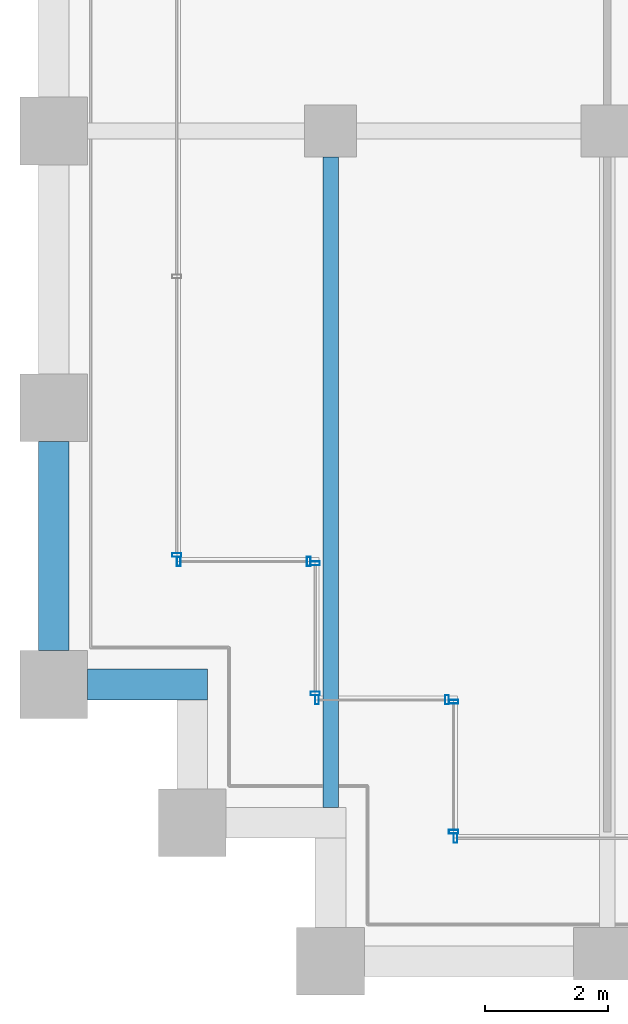
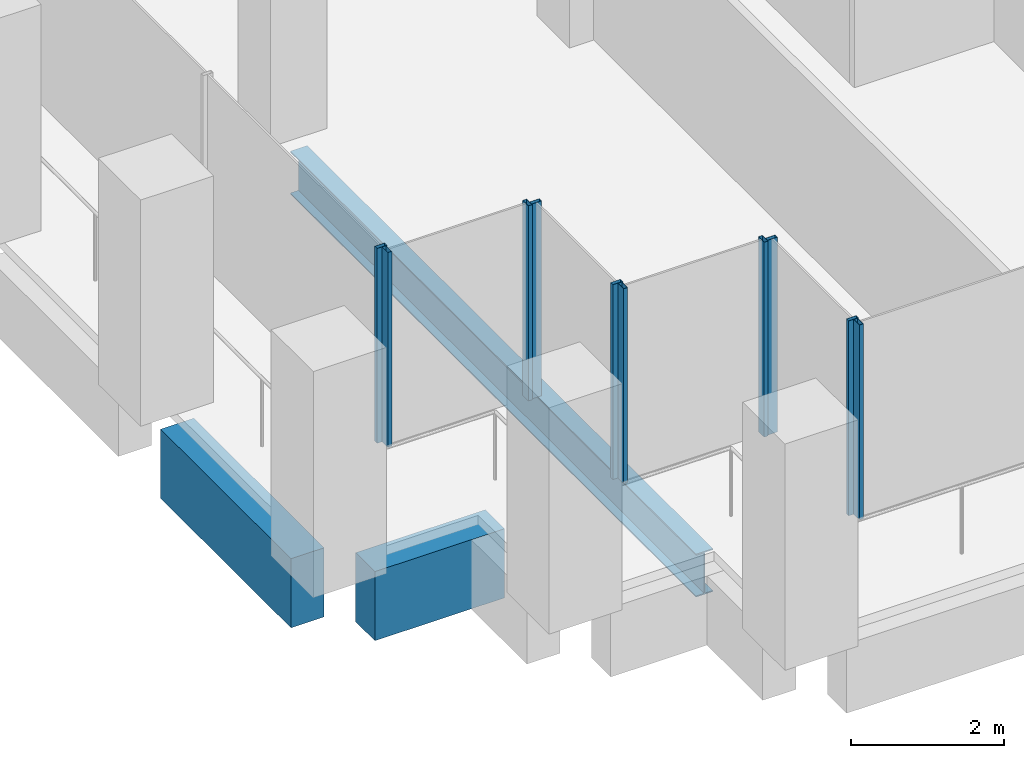
# One storey, part 2 of 54: 10 members, 3 beams, 6 elements without a shape of their own.
"""IFC4 building model written with IfcOpenShell, lengths in metres."""

import ifcopenshell
import ifcopenshell.guid

model = None  # the IFC model being written
_history = None  # IfcOwnerHistory: only IFC2X3 demands one
_inside = {}  # id of a spatial element -> (the spatial element, [elements in it])
_under = {}  # id of a project, library or spatial element -> (it, [spatial elements below it])
_declared = {}  # id of a project -> (the project, [libraries it declares])
_typed = {}  # id of a type object -> (the type object, [elements of that type])
_made_of = {}  # id of a material, layer set ... -> (it, [elements and type objects made of it])


def new_model(schema):
    """Start an empty IFC model of exactly this schema.

    Asked for "IFC4X3", IfcOpenShell would pick the latest addendum, in which some entities
    have other attributes; the version numbers below select the first issue.
    IFC2X3 requires an IfcOwnerHistory on every rooted entity: one is made here for all.
    """
    global model, _history
    if schema == "IFC4X3":
        model = ifcopenshell.file(schema_version=(4, 3, 0, 0))
    else:
        model = ifcopenshell.file(schema=schema)
    _inside.clear()
    _under.clear()
    _declared.clear()
    _typed.clear()
    _made_of.clear()
    _history = None
    if model.schema == "IFC2X3":
        org = make("IfcOrganization", Name="unknown")
        user = make(
            "IfcPersonAndOrganization",
            ThePerson=make("IfcPerson", FamilyName="unknown"),
            TheOrganization=org,
        )
        app = make(
            "IfcApplication",
            ApplicationDeveloper=org,
            Version="unknown",
            ApplicationFullName="unknown",
            ApplicationIdentifier="unknown",
        )
        _history = make(
            "IfcOwnerHistory",
            OwningUser=user,
            OwningApplication=app,
            ChangeAction="ADDED",
            CreationDate=0,
        )
    return model


def make(cls, **values):
    """One entity of the class cls with the attributes given. An attribute that is None is left unset."""
    return model.create_entity(
        cls, **{name: value for name, value in values.items() if value is not None}
    )


def rooted(cls, **values):
    """An entity with a GlobalId (a new one), such as an element, a storey or a relation."""
    return make(cls, GlobalId=ifcopenshell.guid.new(), OwnerHistory=_history, **values)


def si_unit(unit_type, name, prefix=None):
    """IfcSIUnit, for example si_unit("LENGTHUNIT", "METRE", prefix="MILLI")."""
    return make("IfcSIUnit", UnitType=unit_type, Prefix=prefix, Name=name)


def assignment(units):
    """IfcUnitAssignment: the units of a project."""
    return None if units is None else make("IfcUnitAssignment", Units=units)


def point(xyz):
    """IfcCartesianPoint."""
    return None if xyz is None else make("IfcCartesianPoint", Coordinates=xyz)


def direction(xyz):
    """IfcDirection."""
    return None if xyz is None else make("IfcDirection", DirectionRatios=xyz)


def frame(location, z_axis=None, x_axis=None):
    """IfcAxis2Placement3D, a coordinate frame: its origin and axes. An axis left out is left unset."""
    return make(
        "IfcAxis2Placement3D",
        Location=point(location),
        Axis=direction(z_axis),
        RefDirection=direction(x_axis),
    )


def frame_2d(location, x_axis=None):
    """IfcAxis2Placement2D, a coordinate frame in the plane: its origin and x axis."""
    return make(
        "IfcAxis2Placement2D", Location=point(location), RefDirection=direction(x_axis)
    )


def origin():
    """The frame at (0, 0, 0) with its axes left unset."""
    return frame((0.0, 0.0, 0.0))


def origin_2d():
    """The frame at (0, 0) in the plane with its x axis left unset."""
    return frame_2d((0.0, 0.0))


def place(relative_to, where):
    """IfcLocalPlacement: puts the frame where relative to a parent placement (None: the world)."""
    return make(
        "IfcLocalPlacement", PlacementRelTo=relative_to, RelativePlacement=where
    )


def context(
    kind, dimensions, precision=None, world=None, true_north=None, identifier=None
):
    """IfcGeometricRepresentationContext, for example the 3D "Model" context."""
    return make(
        "IfcGeometricRepresentationContext",
        ContextIdentifier=identifier,
        ContextType=kind,
        CoordinateSpaceDimension=dimensions,
        Precision=precision,
        WorldCoordinateSystem=world,
        TrueNorth=true_north,
    )


def subcontext(parent, identifier, kind, view, scale=None):
    """IfcGeometricRepresentationSubContext, for example "Body" below "Model"."""
    return make(
        "IfcGeometricRepresentationSubContext",
        ContextIdentifier=identifier,
        ContextType=kind,
        ParentContext=parent,
        TargetScale=scale,
        TargetView=view,
    )


def project(units=None, contexts=None):
    """IfcProject with its units and contexts."""
    return rooted(
        "IfcProject",
        Name="project",
        RepresentationContexts=contexts,
        UnitsInContext=assignment(units),
    )


def spatial(cls, under=None, at=None, **own):
    """A site, building, storey or space (cls), placed at a placement, below another one or the project."""
    s = rooted(cls, ObjectPlacement=at, **own)
    if under is not None:
        _under.setdefault(under.id(), (under, []))[1].append(s)
    return s


def profile(cls, at=None, kind="AREA", **sizes):
    """A parametric profile (cls). Its sizes go by their IFC names, for example OverallWidth=200.0."""
    return make(cls, ProfileType=kind, Position=at, **sizes)


def rectangle(**sizes):
    """IfcRectangleProfileDef."""
    return profile("IfcRectangleProfileDef", **sizes)


def hollow_rectangle(**sizes):
    """IfcRectangleHollowProfileDef."""
    return profile("IfcRectangleHollowProfileDef", **sizes)


def i_section(**sizes):
    """IfcIShapeProfileDef."""
    return profile("IfcIShapeProfileDef", **sizes)


def extrude(swept, where, along, depth):
    """IfcExtrudedAreaSolid: the profile swept, set in the frame where, extruded along a direction by depth."""
    return make(
        "IfcExtrudedAreaSolid",
        SweptArea=swept,
        Position=where,
        ExtrudedDirection=direction(along),
        Depth=depth,
    )


def shape(context_of_items, identifier, shape_type, items):
    """IfcShapeRepresentation: the items that make up one representation, for example the "Body"."""
    return make(
        "IfcShapeRepresentation",
        ContextOfItems=context_of_items,
        RepresentationIdentifier=identifier,
        RepresentationType=shape_type,
        Items=items,
    )


def material(Name=None, Category=None):
    """IfcMaterial."""
    return make("IfcMaterial", Name=Name, Category=Category)


def material_profile(
    of_material, cross_section, Name=None, Category=None, Priority=None
):
    """IfcMaterialProfile: a cross section and its material."""
    return make(
        "IfcMaterialProfile",
        Name=Name,
        Material=of_material,
        Profile=cross_section,
        Priority=Priority,
        Category=Category,
    )


def profile_set(profiles, Name=None, composite=None):
    """IfcMaterialProfileSet."""
    return make(
        "IfcMaterialProfileSet",
        Name=Name,
        MaterialProfiles=profiles,
        CompositeProfile=composite,
    )


def made_of(thing, what):
    """Note that an element or type object is made of a material, layer set ...; save() writes the relation."""
    if what is not None:
        _made_of.setdefault(what.id(), (what, []))[1].append(thing)
    return thing


def type_object(cls, material=None, **own):
    """A type object (cls), such as IfcWallType, which elements share."""
    return made_of(rooted(cls, **own), material)


def element(
    cls,
    number,
    at=None,
    inside=None,
    cuts=None,
    type_object=None,
    material=None,
    context=None,
    identifier="Body",
    shape_type=None,
    held_by="IfcProductDefinitionShape",
    body=None,
    shapes=None,
    **own,
):
    """One element of the class cls, such as IfcWall. Its Tag is "e" and its number.

    at: its placement. inside: the storey or other place that contains it. cuts: it is an
    opening in that element (IfcRelVoidsElement). A single representation is given by context,
    identifier, shape_type and body (its items); several are given by shapes. held_by: the class
    of the entity that holds the representations. save() writes the other relations.
    """
    e = rooted(cls, Tag="e%d" % number, ObjectPlacement=at, **own)
    if body is not None:
        shapes = [shape(context, identifier, shape_type, body)]
    if shapes is not None:
        e.Representation = make(held_by, Representations=shapes)
    if inside is not None:
        _inside.setdefault(inside.id(), (inside, []))[1].append(e)
    if cuts is not None:
        rooted(
            "IfcRelVoidsElement", RelatingBuildingElement=cuts, RelatedOpeningElement=e
        )
    if type_object is not None:
        _typed.setdefault(type_object.id(), (type_object, []))[1].append(e)
    return made_of(e, material)


def aggregate(whole, parts):
    """IfcRelAggregates: a whole, such as a stair, and the parts it consists of."""
    return rooted("IfcRelAggregates", RelatingObject=whole, RelatedObjects=parts)


def save(model, path):
    """Write the relations noted so far, then the file.

    IfcRelAggregates (storeys below a building ...), IfcRelContainedInSpatialStructure (elements
    in a storey), IfcRelDefinesByType, IfcRelAssociatesMaterial and IfcRelDeclares: one each for
    every whole, place, type object, material and project.
    """
    for whole, parts in _under.values():
        aggregate(whole, parts)
    for where, things in _inside.values():
        rooted(
            "IfcRelContainedInSpatialStructure",
            RelatedElements=things,
            RelatingStructure=where,
        )
    for kind, things in _typed.values():
        rooted("IfcRelDefinesByType", RelatedObjects=things, RelatingType=kind)
    for what, things in _made_of.values():
        rooted("IfcRelAssociatesMaterial", RelatedObjects=things, RelatingMaterial=what)
    for by, libraries in _declared.values():
        rooted("IfcRelDeclares", RelatingContext=by, RelatedDefinitions=libraries)
    model.write(path)


model = new_model("IFC4")

# Units and contexts
model_context = context("Model", 3, precision=1e-05, world=origin(), true_north=direction((0.0, 1.0)))
body_context = subcontext(model_context, "Body", "Model", "MODEL_VIEW")
ifc_project = project(units=[si_unit("LENGTHUNIT", "METRE"), si_unit("AREAUNIT", "SQUARE_METRE"), si_unit("VOLUMEUNIT", "CUBIC_METRE"), si_unit("PLANEANGLEUNIT", "RADIAN"), si_unit("MASSUNIT", "GRAM", prefix="KILO")], contexts=[model_context])

# Site, building, storey
site_placement = place(None, origin())
site = spatial("IfcSite", under=ifc_project, at=site_placement, CompositionType="ELEMENT")
building_placement = place(site_placement, origin())
building = spatial("IfcBuilding", under=site, at=building_placement, Name="Altepetl Exchange Towers", CompositionType="ELEMENT")
storey_placement = place(building_placement, frame((0.0, 0.0, 58.199951171875)))
storey = spatial("IfcBuildingStorey", under=building, at=storey_placement, Name="L13", CompositionType="ELEMENT", Elevation=58.199951171875)

# Beam
ifc_material_1 = material(Name="Steel S355", Category="steel")
ifc_material_profile_1 = material_profile(ifc_material_1, i_section(OverallWidth=0.25390625, OverallDepth=0.68408203125, WebThickness=0.012451171875, FlangeThickness=0.018798828125, at=origin_2d()), Name="W27X94")
ifc_profile_set_1 = profile_set([ifc_material_profile_1], Name="Steel S355")
beam_type_1 = type_object("IfcBeamType", Name="Floor beam W27X94", PredefinedType="BEAM", material=ifc_profile_set_1)
beam_1_placement = place(storey_placement, frame((31.5, 29.5, -0.491943359375), z_axis=(0.0, 1.0, 0.0), x_axis=(-1.0, 0.0, 0.0)))
element("IfcBeam", 1, at=beam_1_placement, inside=storey, type_object=beam_type_1, Name="bm:A:L13:012", PredefinedType="BEAM", context=body_context, shape_type="SweptSolid", body=[
    extrude(i_section(OverallWidth=0.25390625, OverallDepth=0.68408203125, WebThickness=0.012451171875, FlangeThickness=0.018798828125, at=origin_2d()), origin(), (0.0, 0.0, 1.0), 10.574951171875),
])

# Curtain wall, member
ifc_material_2 = material(Name="Aluminium 6063-T6 glazing", Category="aluminium")
curtain_wall_type = type_object("IfcCurtainWallType", Name="Loggia glazing system", PredefinedType="NOTDEFINED", material=ifc_material_2)
curtain_wall_1_placement = place(storey_placement, origin())
curtain_wall_1 = element("IfcCurtainWall", 2, at=curtain_wall_1_placement, inside=storey, type_object=curtain_wall_type, Name="CW1 run", PredefinedType="NOTDEFINED")
ifc_material_3 = material(Name="Aluminium 6063-T6", Category="aluminium")
ifc_material_profile_2 = material_profile(ifc_material_3, hollow_rectangle(XDim=0.06005859375, YDim=0.14990234375, WallThickness=0.0029296875, at=origin_2d()), Name="Mullion 60x150 aluminium")
ifc_profile_set_2 = profile_set([ifc_material_profile_2], Name="Aluminium 6063-T6")
member_type = type_object("IfcMemberType", Name="Mullion 60x150 aluminium", PredefinedType="MULLION", material=ifc_profile_set_2)
member_1_placement = place(storey_placement, frame((29.0, 33.60498046875, 0.0), z_axis=(0.0, 0.0, 1.0), x_axis=(0.0, -1.0, 0.0)))
member_1 = element("IfcMember", 3, at=member_1_placement, type_object=member_type, Name="MU1 mullion", PredefinedType="MULLION", context=body_context, shape_type="SweptSolid", body=[
    extrude(hollow_rectangle(XDim=0.06005859375, YDim=0.14990234375, WallThickness=0.0029296875, at=origin_2d()), origin(), (0.0, 0.0, 1.0), 3.10009765625),
])
aggregate(curtain_wall_1, [member_1])

# Curtain wall, members
curtain_wall_2_placement = place(storey_placement, origin())
curtain_wall_2 = element("IfcCurtainWall", 4, at=curtain_wall_2_placement, inside=storey, type_object=curtain_wall_type, Name="CW1 run", PredefinedType="NOTDEFINED")
member_2_placement = place(storey_placement, frame((29.030029296875, 33.5, 0.0)))
member_2 = element("IfcMember", 5, at=member_2_placement, type_object=member_type, Name="MU1 mullion", PredefinedType="MULLION", context=body_context, shape_type="SweptSolid", body=[
    extrude(hollow_rectangle(XDim=0.06005859375, YDim=0.14990234375, WallThickness=0.0029296875, at=origin_2d()), origin(), (0.0, 0.0, 1.0), 3.10009765625),
])
member_3_placement = place(storey_placement, frame((31.14501953125, 33.5, 0.0)))
member_3 = element("IfcMember", 6, at=member_3_placement, type_object=member_type, Name="MU1 mullion", PredefinedType="MULLION", context=body_context, shape_type="SweptSolid", body=[
    extrude(hollow_rectangle(XDim=0.06005859375, YDim=0.14990234375, WallThickness=0.0029296875, at=origin_2d()), origin(), (0.0, 0.0, 1.0), 3.10009765625),
])
aggregate(curtain_wall_2, [member_2, member_3])

curtain_wall_3_placement = place(storey_placement, origin())
curtain_wall_3 = element("IfcCurtainWall", 7, at=curtain_wall_3_placement, inside=storey, type_object=curtain_wall_type, Name="CW1 run", PredefinedType="NOTDEFINED")
member_4_placement = place(storey_placement, frame((31.25, 33.469970703125, 0.0), z_axis=(0.0, 0.0, 1.0), x_axis=(0.0, -1.0, 0.0)))
member_4 = element("IfcMember", 8, at=member_4_placement, type_object=member_type, Name="MU1 mullion", PredefinedType="MULLION", context=body_context, shape_type="SweptSolid", body=[
    extrude(hollow_rectangle(XDim=0.06005859375, YDim=0.14990234375, WallThickness=0.0029296875, at=origin_2d()), origin(), (0.0, 0.0, 1.0), 3.10009765625),
])
member_5_placement = place(storey_placement, frame((31.25, 31.35498046875, 0.0), z_axis=(0.0, 0.0, 1.0), x_axis=(0.0, -1.0, 0.0)))
member_5 = element("IfcMember", 9, at=member_5_placement, type_object=member_type, Name="MU1 mullion", PredefinedType="MULLION", context=body_context, shape_type="SweptSolid", body=[
    extrude(hollow_rectangle(XDim=0.06005859375, YDim=0.14990234375, WallThickness=0.0029296875, at=origin_2d()), origin(), (0.0, 0.0, 1.0), 3.10009765625),
])
aggregate(curtain_wall_3, [member_4, member_5])

curtain_wall_4_placement = place(storey_placement, origin())
curtain_wall_4 = element("IfcCurtainWall", 10, at=curtain_wall_4_placement, inside=storey, type_object=curtain_wall_type, Name="CW1 run", PredefinedType="NOTDEFINED")
member_6_placement = place(storey_placement, frame((31.280029296875, 31.25, 0.0)))
member_6 = element("IfcMember", 11, at=member_6_placement, type_object=member_type, Name="MU1 mullion", PredefinedType="MULLION", context=body_context, shape_type="SweptSolid", body=[
    extrude(hollow_rectangle(XDim=0.06005859375, YDim=0.14990234375, WallThickness=0.0029296875, at=origin_2d()), origin(), (0.0, 0.0, 1.0), 3.10009765625),
])
member_7_placement = place(storey_placement, frame((33.39501953125, 31.25, 0.0)))
member_7 = element("IfcMember", 12, at=member_7_placement, type_object=member_type, Name="MU1 mullion", PredefinedType="MULLION", context=body_context, shape_type="SweptSolid", body=[
    extrude(hollow_rectangle(XDim=0.06005859375, YDim=0.14990234375, WallThickness=0.0029296875, at=origin_2d()), origin(), (0.0, 0.0, 1.0), 3.10009765625),
])
aggregate(curtain_wall_4, [member_6, member_7])

curtain_wall_5_placement = place(storey_placement, origin())
curtain_wall_5 = element("IfcCurtainWall", 13, at=curtain_wall_5_placement, inside=storey, type_object=curtain_wall_type, Name="CW1 run", PredefinedType="NOTDEFINED")
member_8_placement = place(storey_placement, frame((33.5, 31.219970703125, 0.0), z_axis=(0.0, 0.0, 1.0), x_axis=(0.0, -1.0, 0.0)))
member_8 = element("IfcMember", 14, at=member_8_placement, type_object=member_type, Name="MU1 mullion", PredefinedType="MULLION", context=body_context, shape_type="SweptSolid", body=[
    extrude(hollow_rectangle(XDim=0.06005859375, YDim=0.14990234375, WallThickness=0.0029296875, at=origin_2d()), origin(), (0.0, 0.0, 1.0), 3.10009765625),
])
member_9_placement = place(storey_placement, frame((33.5, 29.10498046875, 0.0), z_axis=(0.0, 0.0, 1.0), x_axis=(0.0, -1.0, 0.0)))
member_9 = element("IfcMember", 15, at=member_9_placement, type_object=member_type, Name="MU1 mullion", PredefinedType="MULLION", context=body_context, shape_type="SweptSolid", body=[
    extrude(hollow_rectangle(XDim=0.06005859375, YDim=0.14990234375, WallThickness=0.0029296875, at=origin_2d()), origin(), (0.0, 0.0, 1.0), 3.10009765625),
])
aggregate(curtain_wall_5, [member_8, member_9])

# Curtain wall, member
curtain_wall_6_placement = place(storey_placement, origin())
curtain_wall_6 = element("IfcCurtainWall", 16, at=curtain_wall_6_placement, inside=storey, type_object=curtain_wall_type, Name="CW1 run", PredefinedType="NOTDEFINED")
member_10_placement = place(storey_placement, frame((33.530029296875, 29.0, 0.0)))
member_10 = element("IfcMember", 17, at=member_10_placement, type_object=member_type, Name="MU1 mullion", PredefinedType="MULLION", context=body_context, shape_type="SweptSolid", body=[
    extrude(hollow_rectangle(XDim=0.06005859375, YDim=0.14990234375, WallThickness=0.0029296875, at=origin_2d()), origin(), (0.0, 0.0, 1.0), 3.10009765625),
])
aggregate(curtain_wall_6, [member_10])

# Beams
ifc_material_4 = material(Name="Concrete C50/60 precast with cantera blanca facing", Category="concrete")
ifc_material_profile_3 = material_profile(ifc_material_4, rectangle(XDim=0.5, YDim=1.10009765625, at=origin_2d()), Name="500 x 1100")
ifc_profile_set_3 = profile_set([ifc_material_profile_3], Name="Concrete C50/60 precast with cantera blanca facing")
beam_type_2 = type_object("IfcBeamType", Name="Spandrel beam 500x1100 cantera blanca", PredefinedType="SPANDREL", material=ifc_profile_set_3)
beam_2_placement = place(storey_placement, frame((27.0, 35.449951171875, -0.699951171875), z_axis=(0.0, -1.0, 0.0), x_axis=(1.0, 0.0, 0.0)))
element("IfcBeam", 18, at=beam_2_placement, inside=storey, type_object=beam_type_2, Name="sp:A:L13:043", PredefinedType="SPANDREL", context=body_context, shape_type="SweptSolid", body=[
    extrude(rectangle(XDim=0.5, YDim=1.10009765625, at=origin_2d()), origin(), (0.0, 0.0, 1.0), 3.39990234375),
])
beam_3_placement = place(storey_placement, frame((27.550048828125, 31.5, -0.699951171875), z_axis=(1.0, 0.0, 0.0), x_axis=(0.0, 1.0, 0.0)))
element("IfcBeam", 19, at=beam_3_placement, inside=storey, type_object=beam_type_2, Name="sp:A:L13:044", PredefinedType="SPANDREL", context=body_context, shape_type="SweptSolid", body=[
    extrude(rectangle(XDim=0.5, YDim=1.10009765625, at=origin_2d()), origin(), (0.0, 0.0, 1.0), 1.949951171875),
])

save(model, "model.ifc")
